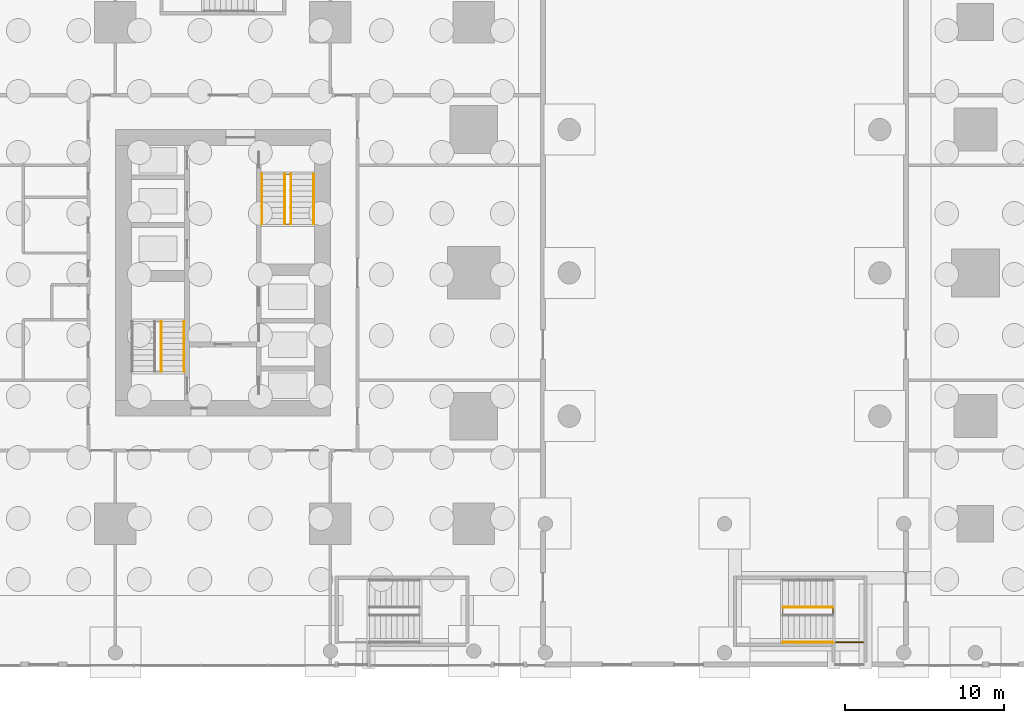
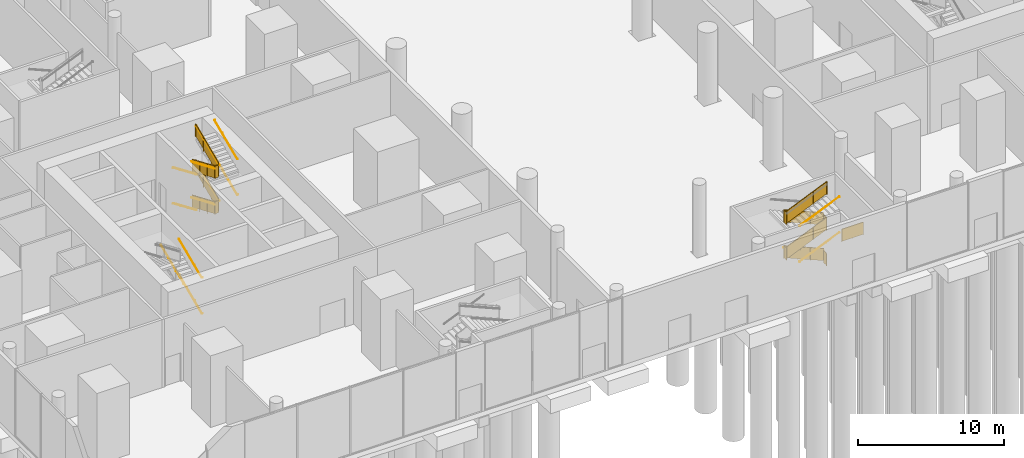
# One storey, part 26 of 31: 17 railings.
"""IFC4 building model written with IfcOpenShell, lengths in metres."""

from ifc_helpers import new_model, si_unit, direction, frame, origin, origin_2d, place, context, subcontext, project, spatial, polyline, circle, outline, extrude, material, type_object, element, save


model = new_model("IFC4")

# Units and contexts
model_context = context("Model", 3, precision=1e-05, world=origin(), true_north=direction((0.0, 1.0)))
body_context = subcontext(model_context, "Body", "Model", "MODEL_VIEW")
ifc_project = project(units=[si_unit("LENGTHUNIT", "METRE"), si_unit("AREAUNIT", "SQUARE_METRE"), si_unit("VOLUMEUNIT", "CUBIC_METRE"), si_unit("PLANEANGLEUNIT", "RADIAN"), si_unit("MASSUNIT", "GRAM", prefix="KILO")], contexts=[model_context])

# Site, building, storey
site_placement = place(None, origin())
site = spatial("IfcSite", under=ifc_project, at=site_placement, CompositionType="ELEMENT")
building_placement = place(site_placement, origin())
building = spatial("IfcBuilding", under=site, at=building_placement, Name="Namib Vertical Campus", CompositionType="ELEMENT")
storey_placement = place(building_placement, origin())
storey = spatial("IfcBuildingStorey", under=building, at=storey_placement, Name="L00", CompositionType="ELEMENT", Elevation=0.0)

# Railings
ifc_material_1 = material(Name="Steel handrail", Category="steel")
railing_type_1 = type_object("IfcRailingType", Name="Handrail 900", PredefinedType="HANDRAIL", material=ifc_material_1)
for number, where, name in (
    (1, (17.800048828125, 14.050048828125, 0.14990234375), "Handrail HR1 A-S1 L00 1"),
    (2, (17.800048828125, 14.050048828125, 3.14990234375), "Handrail HR1 A-S1 L00 3"),
):
    element("IfcRailing", number, at=place(storey_placement, frame(where)), inside=storey, type_object=railing_type_1, Name=name, PredefinedType="HANDRAIL", context=body_context, shape_type="SweptSolid", body=[
        extrude(circle(Radius=0.02392578125, at=origin_2d()), frame((0.0, 0.0, 0.8759765625), z_axis=(0.0, 0.919130290196, 0.393953689721), x_axis=(-1.0, 0.0, 0.0)), (0.0, 0.0, 1.0), 3.427001953125),
        extrude(circle(Radius=0.008056640625, at=origin_2d()), frame((0.0, 0.0, 0.8759765625), z_axis=(1.0, 0.0, 0.0), x_axis=(0.0, 0.0, 1.0)), (0.0, 0.0, 1.0), 0.050048828125),
        extrude(circle(Radius=0.008056640625, at=origin_2d()), frame((0.0, 1.050048828125, 1.325927734375), z_axis=(1.0, 0.0, 0.0), x_axis=(0.0, 0.0, 1.0)), (0.0, 0.0, 1.0), 0.050048828125),
        extrude(circle(Radius=0.008056640625, at=origin_2d()), frame((0.0, 2.099853515625, 1.77587890625), z_axis=(1.0, 0.0, 0.0), x_axis=(0.0, 0.0, 1.0)), (0.0, 0.0, 1.0), 0.050048828125),
        extrude(circle(Radius=0.008056640625, at=origin_2d()), frame((0.0, 3.14990234375, 2.22607421875), z_axis=(1.0, 0.0, 0.0), x_axis=(0.0, 0.0, 1.0)), (0.0, 0.0, 1.0), 0.050048828125),
    ])
railing_1_placement = place(storey_placement, frame((16.375, 14.050048828125, 3.14990234375)))
element("IfcRailing", 3, at=railing_1_placement, inside=storey, type_object=railing_type_1, Name="Handrail HR1 A-S1 L00 3 at the well", PredefinedType="HANDRAIL", context=body_context, shape_type="SweptSolid", body=[
    extrude(circle(Radius=0.02392578125, at=origin_2d()), frame((0.0, 0.0, 0.8759765625), z_axis=(0.0, 0.919130290196, 0.393953689721), x_axis=(-1.0, 0.0, 0.0)), (0.0, 0.0, 1.0), 3.427001953125),
    extrude(circle(Radius=0.008056640625, at=origin_2d()), frame((0.0, 0.0, 0.8759765625), z_axis=(-1.0, 0.0, 0.0), x_axis=(0.0, 0.0, 1.0)), (0.0, 0.0, 1.0), 0.0400390625),
    extrude(circle(Radius=0.008056640625, at=origin_2d()), frame((0.0, 1.050048828125, 1.325927734375), z_axis=(-1.0, 0.0, 0.0), x_axis=(0.0, 0.0, 1.0)), (0.0, 0.0, 1.0), 0.0400390625),
    extrude(circle(Radius=0.008056640625, at=origin_2d()), frame((0.0, 2.099853515625, 1.77587890625), z_axis=(-1.0, 0.0, 0.0), x_axis=(0.0, 0.0, 1.0)), (0.0, 0.0, 1.0), 0.0400390625),
    extrude(circle(Radius=0.008056640625, at=origin_2d()), frame((0.0, 3.14990234375, 2.22607421875), z_axis=(-1.0, 0.0, 0.0), x_axis=(0.0, 0.0, 1.0)), (0.0, 0.0, 1.0), 0.0400390625),
])
railing_2_placement = place(storey_placement, frame((22.699951171875, 26.449951171875, 0.14990234375)))
element("IfcRailing", 4, at=railing_2_placement, inside=storey, type_object=railing_type_1, Name="Handrail HR1 A-S2 L00 1", PredefinedType="HANDRAIL", context=body_context, shape_type="SweptSolid", body=[
    extrude(circle(Radius=0.02392578125, at=origin_2d()), frame((0.0, 0.0, 0.8759765625), z_axis=(0.0, -0.919130290196, 0.393953689721), x_axis=(1.0, 0.0, 0.0)), (0.0, 0.0, 1.0), 3.427001953125),
    extrude(circle(Radius=0.008056640625, at=origin_2d()), frame((0.0, 0.0, 0.8759765625), z_axis=(-1.0, 0.0, 0.0), x_axis=(0.0, 0.0, 1.0)), (0.0, 0.0, 1.0), 0.050048828125),
    extrude(circle(Radius=0.008056640625, at=origin_2d()), frame((0.0, -1.050048828125, 1.325927734375), z_axis=(-1.0, 0.0, 0.0), x_axis=(0.0, 0.0, 1.0)), (0.0, 0.0, 1.0), 0.050048828125),
    extrude(circle(Radius=0.008056640625, at=origin_2d()), frame((0.0, -2.099853515625, 1.77587890625), z_axis=(-1.0, 0.0, 0.0), x_axis=(0.0, 0.0, 1.0)), (0.0, 0.0, 1.0), 0.050048828125),
    extrude(circle(Radius=0.008056640625, at=origin_2d()), frame((0.0, -3.14990234375, 2.22607421875), z_axis=(-1.0, 0.0, 0.0), x_axis=(0.0, 0.0, 1.0)), (0.0, 0.0, 1.0), 0.050048828125),
])
railing_3_placement = place(storey_placement, frame((25.949951171875, 23.300048828125, 1.64990234375)))
element("IfcRailing", 5, at=railing_3_placement, inside=storey, type_object=railing_type_1, Name="Handrail HR1 A-S2 L00 2", PredefinedType="HANDRAIL", context=body_context, shape_type="SweptSolid", body=[
    extrude(circle(Radius=0.02392578125, at=origin_2d()), frame((0.0, 0.0, 0.8759765625), z_axis=(0.0, 0.919130290196, 0.393953689721), x_axis=(-1.0, 0.0, 0.0)), (0.0, 0.0, 1.0), 3.427001953125),
    extrude(circle(Radius=0.008056640625, at=origin_2d()), frame((0.0, 0.0, 0.8759765625), z_axis=(1.0, 0.0, 0.0), x_axis=(0.0, 0.0, 1.0)), (0.0, 0.0, 1.0), 0.050048828125),
    extrude(circle(Radius=0.008056640625, at=origin_2d()), frame((0.0, 1.050048828125, 1.325927734375), z_axis=(1.0, 0.0, 0.0), x_axis=(0.0, 0.0, 1.0)), (0.0, 0.0, 1.0), 0.050048828125),
    extrude(circle(Radius=0.008056640625, at=origin_2d()), frame((0.0, 2.099853515625, 1.77587890625), z_axis=(1.0, 0.0, 0.0), x_axis=(0.0, 0.0, 1.0)), (0.0, 0.0, 1.0), 0.050048828125),
    extrude(circle(Radius=0.008056640625, at=origin_2d()), frame((0.0, 3.14990234375, 2.22607421875), z_axis=(1.0, 0.0, 0.0), x_axis=(0.0, 0.0, 1.0)), (0.0, 0.0, 1.0), 0.050048828125),
])
railing_4_placement = place(storey_placement, frame((22.699951171875, 26.449951171875, 3.14990234375)))
element("IfcRailing", 6, at=railing_4_placement, inside=storey, type_object=railing_type_1, Name="Handrail HR1 A-S2 L00 3", PredefinedType="HANDRAIL", context=body_context, shape_type="SweptSolid", body=[
    extrude(circle(Radius=0.02392578125, at=origin_2d()), frame((0.0, 0.0, 0.8759765625), z_axis=(0.0, -0.919130290196, 0.393953689721), x_axis=(1.0, 0.0, 0.0)), (0.0, 0.0, 1.0), 3.427001953125),
    extrude(circle(Radius=0.008056640625, at=origin_2d()), frame((0.0, 0.0, 0.8759765625), z_axis=(-1.0, 0.0, 0.0), x_axis=(0.0, 0.0, 1.0)), (0.0, 0.0, 1.0), 0.050048828125),
    extrude(circle(Radius=0.008056640625, at=origin_2d()), frame((0.0, -1.050048828125, 1.325927734375), z_axis=(-1.0, 0.0, 0.0), x_axis=(0.0, 0.0, 1.0)), (0.0, 0.0, 1.0), 0.050048828125),
    extrude(circle(Radius=0.008056640625, at=origin_2d()), frame((0.0, -2.099853515625, 1.77587890625), z_axis=(-1.0, 0.0, 0.0), x_axis=(0.0, 0.0, 1.0)), (0.0, 0.0, 1.0), 0.050048828125),
    extrude(circle(Radius=0.008056640625, at=origin_2d()), frame((0.0, -3.14990234375, 2.22607421875), z_axis=(-1.0, 0.0, 0.0), x_axis=(0.0, 0.0, 1.0)), (0.0, 0.0, 1.0), 0.050048828125),
])
railing_5_placement = place(storey_placement, frame((25.949951171875, 23.300048828125, 4.64990234375)))
element("IfcRailing", 7, at=railing_5_placement, inside=storey, type_object=railing_type_1, Name="Handrail HR1 A-S2 L00 4", PredefinedType="HANDRAIL", context=body_context, shape_type="SweptSolid", body=[
    extrude(circle(Radius=0.02392578125, at=origin_2d()), frame((0.0, 0.0, 0.8759765625), z_axis=(0.0, 0.919130290196, 0.393953689721), x_axis=(-1.0, 0.0, 0.0)), (0.0, 0.0, 1.0), 3.427001953125),
    extrude(circle(Radius=0.008056640625, at=origin_2d()), frame((0.0, 0.0, 0.8759765625), z_axis=(1.0, 0.0, 0.0), x_axis=(0.0, 0.0, 1.0)), (0.0, 0.0, 1.0), 0.050048828125),
    extrude(circle(Radius=0.008056640625, at=origin_2d()), frame((0.0, 1.050048828125, 1.325927734375), z_axis=(1.0, 0.0, 0.0), x_axis=(0.0, 0.0, 1.0)), (0.0, 0.0, 1.0), 0.050048828125),
    extrude(circle(Radius=0.008056640625, at=origin_2d()), frame((0.0, 2.099853515625, 1.77587890625), z_axis=(1.0, 0.0, 0.0), x_axis=(0.0, 0.0, 1.0)), (0.0, 0.0, 1.0), 0.050048828125),
    extrude(circle(Radius=0.008056640625, at=origin_2d()), frame((0.0, 3.14990234375, 2.22607421875), z_axis=(1.0, 0.0, 0.0), x_axis=(0.0, 0.0, 1.0)), (0.0, 0.0, 1.0), 0.050048828125),
])
railing_6_placement = place(storey_placement, frame((24.125, 26.449951171875, 0.14990234375)))
element("IfcRailing", 8, at=railing_6_placement, inside=storey, type_object=railing_type_1, Name="Handrail HR1 A-S2 L00 1 at the well", PredefinedType="HANDRAIL", context=body_context, shape_type="SweptSolid", body=[
    extrude(circle(Radius=0.02392578125, at=origin_2d()), frame((0.0, 0.0, 0.8759765625), z_axis=(0.0, -0.919130290196, 0.393953689721), x_axis=(1.0, 0.0, 0.0)), (0.0, 0.0, 1.0), 3.427001953125),
    extrude(circle(Radius=0.008056640625, at=origin_2d()), frame((0.0, 0.0, 0.8759765625), z_axis=(1.0, 0.0, 0.0), x_axis=(0.0, 0.0, 1.0)), (0.0, 0.0, 1.0), 0.0400390625),
    extrude(circle(Radius=0.008056640625, at=origin_2d()), frame((0.0, -1.050048828125, 1.325927734375), z_axis=(1.0, 0.0, 0.0), x_axis=(0.0, 0.0, 1.0)), (0.0, 0.0, 1.0), 0.0400390625),
    extrude(circle(Radius=0.008056640625, at=origin_2d()), frame((0.0, -2.099853515625, 1.77587890625), z_axis=(1.0, 0.0, 0.0), x_axis=(0.0, 0.0, 1.0)), (0.0, 0.0, 1.0), 0.0400390625),
    extrude(circle(Radius=0.008056640625, at=origin_2d()), frame((0.0, -3.14990234375, 2.22607421875), z_axis=(1.0, 0.0, 0.0), x_axis=(0.0, 0.0, 1.0)), (0.0, 0.0, 1.0), 0.0400390625),
])
railing_7_placement = place(storey_placement, frame((24.52490234375, 23.300048828125, 1.64990234375)))
element("IfcRailing", 9, at=railing_7_placement, inside=storey, type_object=railing_type_1, Name="Handrail HR1 A-S2 L00 2 at the well", PredefinedType="HANDRAIL", context=body_context, shape_type="SweptSolid", body=[
    extrude(circle(Radius=0.02392578125, at=origin_2d()), frame((0.0, 0.0, 0.8759765625), z_axis=(0.0, 0.919130290196, 0.393953689721), x_axis=(-1.0, 0.0, 0.0)), (0.0, 0.0, 1.0), 3.427001953125),
    extrude(circle(Radius=0.008056640625, at=origin_2d()), frame((0.0, 0.0, 0.8759765625), z_axis=(-1.0, 0.0, 0.0), x_axis=(0.0, 0.0, 1.0)), (0.0, 0.0, 1.0), 0.0400390625),
    extrude(circle(Radius=0.008056640625, at=origin_2d()), frame((0.0, 1.050048828125, 1.325927734375), z_axis=(-1.0, 0.0, 0.0), x_axis=(0.0, 0.0, 1.0)), (0.0, 0.0, 1.0), 0.0400390625),
    extrude(circle(Radius=0.008056640625, at=origin_2d()), frame((0.0, 2.099853515625, 1.77587890625), z_axis=(-1.0, 0.0, 0.0), x_axis=(0.0, 0.0, 1.0)), (0.0, 0.0, 1.0), 0.0400390625),
    extrude(circle(Radius=0.008056640625, at=origin_2d()), frame((0.0, 3.14990234375, 2.22607421875), z_axis=(-1.0, 0.0, 0.0), x_axis=(0.0, 0.0, 1.0)), (0.0, 0.0, 1.0), 0.0400390625),
])
railing_8_placement = place(storey_placement, frame((24.125, 26.449951171875, 3.14990234375)))
element("IfcRailing", 10, at=railing_8_placement, inside=storey, type_object=railing_type_1, Name="Handrail HR1 A-S2 L00 3 at the well", PredefinedType="HANDRAIL", context=body_context, shape_type="SweptSolid", body=[
    extrude(circle(Radius=0.02392578125, at=origin_2d()), frame((0.0, 0.0, 0.8759765625), z_axis=(0.0, -0.919130290196, 0.393953689721), x_axis=(1.0, 0.0, 0.0)), (0.0, 0.0, 1.0), 3.427001953125),
    extrude(circle(Radius=0.008056640625, at=origin_2d()), frame((0.0, 0.0, 0.8759765625), z_axis=(1.0, 0.0, 0.0), x_axis=(0.0, 0.0, 1.0)), (0.0, 0.0, 1.0), 0.0400390625),
    extrude(circle(Radius=0.008056640625, at=origin_2d()), frame((0.0, -1.050048828125, 1.325927734375), z_axis=(1.0, 0.0, 0.0), x_axis=(0.0, 0.0, 1.0)), (0.0, 0.0, 1.0), 0.0400390625),
    extrude(circle(Radius=0.008056640625, at=origin_2d()), frame((0.0, -2.099853515625, 1.77587890625), z_axis=(1.0, 0.0, 0.0), x_axis=(0.0, 0.0, 1.0)), (0.0, 0.0, 1.0), 0.0400390625),
    extrude(circle(Radius=0.008056640625, at=origin_2d()), frame((0.0, -3.14990234375, 2.22607421875), z_axis=(1.0, 0.0, 0.0), x_axis=(0.0, 0.0, 1.0)), (0.0, 0.0, 1.0), 0.0400390625),
])
railing_9_placement = place(storey_placement, frame((24.52490234375, 23.300048828125, 4.64990234375)))
element("IfcRailing", 11, at=railing_9_placement, inside=storey, type_object=railing_type_1, Name="Handrail HR1 A-S2 L00 4 at the well", PredefinedType="HANDRAIL", context=body_context, shape_type="SweptSolid", body=[
    extrude(circle(Radius=0.02392578125, at=origin_2d()), frame((0.0, 0.0, 0.8759765625), z_axis=(0.0, 0.919130290196, 0.393953689721), x_axis=(-1.0, 0.0, 0.0)), (0.0, 0.0, 1.0), 3.427001953125),
    extrude(circle(Radius=0.008056640625, at=origin_2d()), frame((0.0, 0.0, 0.8759765625), z_axis=(-1.0, 0.0, 0.0), x_axis=(0.0, 0.0, 1.0)), (0.0, 0.0, 1.0), 0.0400390625),
    extrude(circle(Radius=0.008056640625, at=origin_2d()), frame((0.0, 1.050048828125, 1.325927734375), z_axis=(-1.0, 0.0, 0.0), x_axis=(0.0, 0.0, 1.0)), (0.0, 0.0, 1.0), 0.0400390625),
    extrude(circle(Radius=0.008056640625, at=origin_2d()), frame((0.0, 2.099853515625, 1.77587890625), z_axis=(-1.0, 0.0, 0.0), x_axis=(0.0, 0.0, 1.0)), (0.0, 0.0, 1.0), 0.0400390625),
    extrude(circle(Radius=0.008056640625, at=origin_2d()), frame((0.0, 3.14990234375, 2.22607421875), z_axis=(-1.0, 0.0, 0.0), x_axis=(0.0, 0.0, 1.0)), (0.0, 0.0, 1.0), 0.0400390625),
])
for number, where, name in (
    (12, (55.40380859375, -2.949951171875, 1.64990234375), "Handrail HR1 P-S4 L00 2"),
    (13, (55.40380859375, -2.949951171875, 4.64990234375), "Handrail HR1 P-S4 L00 4"),
):
    element("IfcRailing", number, at=place(storey_placement, frame(where)), inside=storey, type_object=railing_type_1, Name=name, PredefinedType="HANDRAIL", context=body_context, shape_type="SweptSolid", body=[
        extrude(circle(Radius=0.02392578125, at=origin_2d()), frame((0.0, 0.0, 0.8759765625), z_axis=(0.919141345424, 0.0, 0.393927895853), x_axis=(0.0, 1.0, 0.0)), (0.0, 0.0, 1.0), 3.42724609375),
        extrude(circle(Radius=0.008056640625, at=origin_2d()), frame((0.0, 0.0, 0.8759765625), z_axis=(0.0, -1.0, 0.0), x_axis=(0.0, 0.0, 1.0)), (0.0, 0.0, 1.0), 0.050048828125),
        extrude(circle(Radius=0.008056640625, at=origin_2d()), frame((1.050048828125, 0.0, 1.325927734375), z_axis=(0.0, -1.0, 0.0), x_axis=(0.0, 0.0, 1.0)), (0.0, 0.0, 1.0), 0.050048828125),
        extrude(circle(Radius=0.008056640625, at=origin_2d()), frame((2.10009765625, 0.0, 1.77587890625), z_axis=(0.0, -1.0, 0.0), x_axis=(0.0, 0.0, 1.0)), (0.0, 0.0, 1.0), 0.050048828125),
        extrude(circle(Radius=0.008056640625, at=origin_2d()), frame((3.150146484375, 0.0, 2.22607421875), z_axis=(0.0, -1.0, 0.0), x_axis=(0.0, 0.0, 1.0)), (0.0, 0.0, 1.0), 0.050048828125),
    ])
railing_10_placement = place(storey_placement, frame((58.553955078125, -0.75, 0.14990234375)))
element("IfcRailing", 14, at=railing_10_placement, inside=storey, type_object=railing_type_1, Name="Handrail HR1 P-S4 L00 1 at the well", PredefinedType="HANDRAIL", context=body_context, shape_type="SweptSolid", body=[
    extrude(circle(Radius=0.02392578125, at=origin_2d()), frame((0.0, 0.0, 0.8759765625), z_axis=(-0.919141345424, 0.0, 0.393927895853), x_axis=(0.0, -1.0, 0.0)), (0.0, 0.0, 1.0), 3.42724609375),
    extrude(circle(Radius=0.008056640625, at=origin_2d()), frame((0.0, 0.0, 0.8759765625), z_axis=(0.0, -1.0, 0.0), x_axis=(0.0, 0.0, 1.0)), (0.0, 0.0, 1.0), 0.0400390625),
    extrude(circle(Radius=0.008056640625, at=origin_2d()), frame((-1.050048828125, 0.0, 1.325927734375), z_axis=(0.0, -1.0, 0.0), x_axis=(0.0, 0.0, 1.0)), (0.0, 0.0, 1.0), 0.0400390625),
    extrude(circle(Radius=0.008056640625, at=origin_2d()), frame((-2.10009765625, 0.0, 1.77587890625), z_axis=(0.0, -1.0, 0.0), x_axis=(0.0, 0.0, 1.0)), (0.0, 0.0, 1.0), 0.0400390625),
    extrude(circle(Radius=0.008056640625, at=origin_2d()), frame((-3.150146484375, 0.0, 2.22607421875), z_axis=(0.0, -1.0, 0.0), x_axis=(0.0, 0.0, 1.0)), (0.0, 0.0, 1.0), 0.0400390625),
])
ifc_material_2 = material(Name="Steel balustrade", Category="steel")
railing_type_2 = type_object("IfcRailingType", Name="Stair guard 1100", PredefinedType="GUARDRAIL", material=ifc_material_2)
railing_11_placement = place(storey_placement, frame((24.47509765625, 26.449951171875, 0.0)))
element("IfcRailing", 15, at=railing_11_placement, inside=storey, type_object=railing_type_2, Name="Stair guard GR1 A-S2 L00", PredefinedType="GUARDRAIL", context=body_context, shape_type="SweptSolid", body=[
    extrude(circle(Radius=0.02392578125, at=origin_2d()), frame((0.0, 0.0, 1.076171875), z_axis=(-1.0, 0.0, 0.0), x_axis=(0.0, -1.0, 0.0)), (0.0, 0.0, 1.0), 0.300048828125),
    extrude(outline(polyline([(0.02099609375, 0.050048828125), (0.279052734375, 0.050048828125), (0.279052734375, 1.052001953125), (0.02099609375, 1.052001953125), (0.02099609375, 0.050048828125)])), frame((0.0, -0.010009765625, 0.0), z_axis=(0.0, 1.0, 0.0), x_axis=(-1.0, 0.0, 0.0)), (0.0, 0.0, 1.0), 0.02001953125),
    extrude(circle(Radius=0.02392578125, at=origin_2d()), frame((-0.300048828125, 0.0, 1.076171875), z_axis=(0.0, 0.0, 1.0), x_axis=(1.0, 0.0, 0.0)), (0.0, 0.0, 1.0), 0.14990234375),
    extrude(circle(Radius=0.02392578125, at=origin_2d()), frame((-0.300048828125, 0.0, 1.22607421875), z_axis=(0.0, -0.919130290196, 0.393953689721), x_axis=(1.0, 0.0, 0.0)), (0.0, 0.0, 1.0), 3.427001953125),
    extrude(outline(polyline([(0.02099609375, 0.05908203125), (3.12890625, 1.39111328125), (3.12890625, 2.39306640625), (0.02099609375, 1.06103515625), (0.02099609375, 0.05908203125)])), frame((-0.2900390625, 0.0, 0.14990234375), z_axis=(-1.0, 0.0, 0.0), x_axis=(0.0, -1.0, 0.0)), (0.0, 0.0, 1.0), 0.02001953125),
    extrude(circle(Radius=0.02392578125, at=origin_2d()), frame((-0.300048828125, -3.14990234375, 2.576171875), z_axis=(1.0, 0.0, 0.0), x_axis=(0.0, 1.0, 0.0)), (0.0, 0.0, 1.0), 0.300048828125),
    extrude(outline(polyline([(0.02099609375, 0.050048828125), (0.279052734375, 0.050048828125), (0.279052734375, 1.052001953125), (0.02099609375, 1.052001953125), (0.02099609375, 0.050048828125)])), frame((-0.300048828125, -3.139892578125, 1.5), z_axis=(0.0, -1.0, 0.0), x_axis=(1.0, 0.0, 0.0)), (0.0, 0.0, 1.0), 0.02001953125),
    extrude(circle(Radius=0.02392578125, at=origin_2d()), frame((0.0, -3.14990234375, 2.576171875), z_axis=(0.0, 0.0, 1.0), x_axis=(1.0, 0.0, 0.0)), (0.0, 0.0, 1.0), 0.14990234375),
    extrude(circle(Radius=0.02392578125, at=origin_2d()), frame((0.0, -3.14990234375, 2.72607421875), z_axis=(0.0, 0.919130290196, 0.393953689721), x_axis=(-1.0, 0.0, 0.0)), (0.0, 0.0, 1.0), 3.427001953125),
    extrude(outline(polyline([(0.02099609375, 0.05908203125), (3.12890625, 1.39111328125), (3.12890625, 2.39306640625), (0.02099609375, 1.06103515625), (0.02099609375, 0.05908203125)])), frame((-0.010009765625, -3.14990234375, 1.64990234375), z_axis=(1.0, 0.0, 0.0), x_axis=(0.0, 1.0, 0.0)), (0.0, 0.0, 1.0), 0.02001953125),
    extrude(circle(Radius=0.02392578125, at=origin_2d()), frame((0.0, 0.0, 4.076171875), z_axis=(-1.0, 0.0, 0.0), x_axis=(0.0, -1.0, 0.0)), (0.0, 0.0, 1.0), 0.300048828125),
    extrude(outline(polyline([(0.02099609375, 0.050048828125), (0.279052734375, 0.050048828125), (0.279052734375, 1.052001953125), (0.02099609375, 1.052001953125), (0.02099609375, 0.050048828125)])), frame((0.0, -0.010009765625, 3.0), z_axis=(0.0, 1.0, 0.0), x_axis=(-1.0, 0.0, 0.0)), (0.0, 0.0, 1.0), 0.02001953125),
    extrude(circle(Radius=0.02392578125, at=origin_2d()), frame((-0.300048828125, 0.0, 4.076171875), z_axis=(0.0, 0.0, 1.0), x_axis=(1.0, 0.0, 0.0)), (0.0, 0.0, 1.0), 0.14990234375),
    extrude(circle(Radius=0.02392578125, at=origin_2d()), frame((-0.300048828125, 0.0, 4.22607421875), z_axis=(0.0, -0.919130290196, 0.393953689721), x_axis=(1.0, 0.0, 0.0)), (0.0, 0.0, 1.0), 3.427001953125),
    extrude(outline(polyline([(0.02099609375, 0.05908203125), (3.12890625, 1.39111328125), (3.12890625, 2.39306640625), (0.02099609375, 1.06103515625), (0.02099609375, 0.05908203125)])), frame((-0.2900390625, 0.0, 3.14990234375), z_axis=(-1.0, 0.0, 0.0), x_axis=(0.0, -1.0, 0.0)), (0.0, 0.0, 1.0), 0.02001953125),
    extrude(circle(Radius=0.02392578125, at=origin_2d()), frame((-0.300048828125, -3.14990234375, 5.576171875), z_axis=(1.0, 0.0, 0.0), x_axis=(0.0, 1.0, 0.0)), (0.0, 0.0, 1.0), 0.300048828125),
    extrude(outline(polyline([(0.02099609375, 0.050048828125), (0.279052734375, 0.050048828125), (0.279052734375, 1.052001953125), (0.02099609375, 1.052001953125), (0.02099609375, 0.050048828125)])), frame((-0.300048828125, -3.139892578125, 4.5), z_axis=(0.0, -1.0, 0.0), x_axis=(1.0, 0.0, 0.0)), (0.0, 0.0, 1.0), 0.02001953125),
    extrude(circle(Radius=0.02392578125, at=origin_2d()), frame((0.0, -3.14990234375, 5.576171875), z_axis=(0.0, 0.0, 1.0), x_axis=(1.0, 0.0, 0.0)), (0.0, 0.0, 1.0), 0.14990234375),
    extrude(circle(Radius=0.02392578125, at=origin_2d()), frame((0.0, -3.14990234375, 5.72607421875), z_axis=(0.0, 0.919130290196, 0.393953689721), x_axis=(-1.0, 0.0, 0.0)), (0.0, 0.0, 1.0), 3.427001953125),
    extrude(outline(polyline([(0.02099609375, 0.05908203125), (3.12890625, 1.39111328125), (3.12890625, 2.39306640625), (0.02099609375, 1.06103515625), (0.02099609375, 0.05908203125)])), frame((-0.010009765625, -3.14990234375, 4.64990234375), z_axis=(1.0, 0.0, 0.0), x_axis=(0.0, 1.0, 0.0)), (0.0, 0.0, 1.0), 0.02001953125),
    extrude(circle(Radius=0.02392578125, at=origin_2d()), frame((0.0, 0.0, 7.076171875), z_axis=(0.0, 1.0, 0.0), x_axis=(-1.0, 0.0, 0.0)), (0.0, 0.0, 1.0), 0.050048828125),
    extrude(outline(polyline([(0.02099609375, 0.050048828125), (0.029052734375, 0.050048828125), (0.029052734375, 1.052001953125), (0.02099609375, 1.052001953125), (0.02099609375, 0.050048828125)])), frame((-0.010009765625, 0.0, 6.0), z_axis=(1.0, 0.0, 0.0), x_axis=(0.0, 1.0, 0.0)), (0.0, 0.0, 1.0), 0.02001953125),
    extrude(circle(Radius=0.02099609375, at=origin_2d()), origin(), (0.0, 0.0, 1.0), 1.052001953125),
    extrude(circle(Radius=0.02099609375, at=origin_2d()), frame((-0.300048828125, 0.0, 0.14990234375)), (0.0, 0.0, 1.0), 1.052001953125),
    extrude(circle(Radius=0.02099609375, at=origin_2d()), frame((-0.300048828125, -1.050048828125, 0.449951171875)), (0.0, 0.0, 1.0), 1.2021484375),
    extrude(circle(Radius=0.02099609375, at=origin_2d()), frame((-0.300048828125, -2.099853515625, 0.89990234375)), (0.0, 0.0, 1.0), 1.2021484375),
    extrude(circle(Radius=0.02099609375, at=origin_2d()), frame((-0.300048828125, -3.14990234375, 1.5)), (0.0, 0.0, 1.0), 1.052001953125),
    extrude(circle(Radius=0.02099609375, at=origin_2d()), frame((0.0, -3.14990234375, 1.64990234375)), (0.0, 0.0, 1.0), 1.052001953125),
    extrude(circle(Radius=0.02099609375, at=origin_2d()), frame((0.0, -2.099853515625, 1.949951171875)), (0.0, 0.0, 1.0), 1.2021484375),
    extrude(circle(Radius=0.02099609375, at=origin_2d()), frame((0.0, -1.050048828125, 2.39990234375)), (0.0, 0.0, 1.0), 1.2021484375),
    extrude(circle(Radius=0.02099609375, at=origin_2d()), frame((0.0, 0.0, 3.0)), (0.0, 0.0, 1.0), 1.052001953125),
    extrude(circle(Radius=0.02099609375, at=origin_2d()), frame((-0.300048828125, 0.0, 3.14990234375)), (0.0, 0.0, 1.0), 1.052001953125),
    extrude(circle(Radius=0.02099609375, at=origin_2d()), frame((-0.300048828125, -1.050048828125, 3.449951171875)), (0.0, 0.0, 1.0), 1.2021484375),
    extrude(circle(Radius=0.02099609375, at=origin_2d()), frame((-0.300048828125, -2.099853515625, 3.89990234375)), (0.0, 0.0, 1.0), 1.2021484375),
    extrude(circle(Radius=0.02099609375, at=origin_2d()), frame((-0.300048828125, -3.14990234375, 4.5)), (0.0, 0.0, 1.0), 1.052001953125),
    extrude(circle(Radius=0.02099609375, at=origin_2d()), frame((0.0, -3.14990234375, 4.64990234375)), (0.0, 0.0, 1.0), 1.052001953125),
    extrude(circle(Radius=0.02099609375, at=origin_2d()), frame((0.0, -2.099853515625, 4.949951171875)), (0.0, 0.0, 1.0), 1.2021484375),
    extrude(circle(Radius=0.02099609375, at=origin_2d()), frame((0.0, -1.050048828125, 5.39990234375)), (0.0, 0.0, 1.0), 1.2021484375),
    extrude(circle(Radius=0.02099609375, at=origin_2d()), frame((0.0, 0.0, 6.0)), (0.0, 0.0, 1.0), 1.052001953125),
    extrude(circle(Radius=0.02099609375, at=origin_2d()), frame((0.0, 0.050048828125, 6.0)), (0.0, 0.0, 1.0), 1.052001953125),
])
railing_12_placement = place(storey_placement, frame((58.553955078125, -1.199951171875, 0.0)))
element("IfcRailing", 16, at=railing_12_placement, inside=storey, type_object=railing_type_2, Name="Stair guard GR1 P-S4 L00", PredefinedType="GUARDRAIL", context=body_context, shape_type="SweptSolid", body=[
    extrude(circle(Radius=0.02392578125, at=origin_2d()), frame((0.0, 0.0, 1.076171875), z_axis=(0.0, 1.0, 0.0), x_axis=(-1.0, 0.0, 0.0)), (0.0, 0.0, 1.0), 0.39990234375),
    extrude(outline(polyline([(0.02099609375, 0.050048828125), (0.37890625, 0.050048828125), (0.37890625, 1.052001953125), (0.02099609375, 1.052001953125), (0.02099609375, 0.050048828125)])), frame((-0.010009765625, 0.0, 0.0), z_axis=(1.0, 0.0, 0.0), x_axis=(0.0, 1.0, 0.0)), (0.0, 0.0, 1.0), 0.02001953125),
    extrude(circle(Radius=0.02392578125, at=origin_2d()), frame((0.0, 0.39990234375, 1.076171875), z_axis=(0.0, 0.0, 1.0), x_axis=(1.0, 0.0, 0.0)), (0.0, 0.0, 1.0), 0.14990234375),
    extrude(circle(Radius=0.02392578125, at=origin_2d()), frame((0.0, 0.39990234375, 1.22607421875), z_axis=(-0.919141345424, 0.0, 0.393927895853), x_axis=(0.0, -1.0, 0.0)), (0.0, 0.0, 1.0), 3.42724609375),
    extrude(outline(polyline([(0.02099609375, 0.05908203125), (3.129150390625, 1.39111328125), (3.129150390625, 2.39306640625), (0.02099609375, 1.06103515625), (0.02099609375, 0.05908203125)])), frame((0.0, 0.389892578125, 0.14990234375), z_axis=(0.0, 1.0, 0.0), x_axis=(-1.0, 0.0, 0.0)), (0.0, 0.0, 1.0), 0.02001953125),
    extrude(circle(Radius=0.02392578125, at=origin_2d()), frame((-3.150146484375, 0.39990234375, 2.576171875), z_axis=(0.0, -1.0, 0.0), x_axis=(1.0, 0.0, 0.0)), (0.0, 0.0, 1.0), 0.39990234375),
    extrude(outline(polyline([(0.02099609375, 0.050048828125), (0.37890625, 0.050048828125), (0.37890625, 1.052001953125), (0.02099609375, 1.052001953125), (0.02099609375, 0.050048828125)])), frame((-3.14013671875, 0.39990234375, 1.5), z_axis=(-1.0, 0.0, 0.0), x_axis=(0.0, -1.0, 0.0)), (0.0, 0.0, 1.0), 0.02001953125),
    extrude(circle(Radius=0.02392578125, at=origin_2d()), frame((-3.150146484375, 0.0, 2.576171875), z_axis=(0.0, 0.0, 1.0), x_axis=(1.0, 0.0, 0.0)), (0.0, 0.0, 1.0), 0.14990234375),
    extrude(circle(Radius=0.02392578125, at=origin_2d()), frame((-3.150146484375, 0.0, 2.72607421875), z_axis=(0.919141345424, 0.0, 0.393927895853), x_axis=(0.0, 1.0, 0.0)), (0.0, 0.0, 1.0), 3.42724609375),
    extrude(outline(polyline([(0.02099609375, 0.05908203125), (3.129150390625, 1.39111328125), (3.129150390625, 2.39306640625), (0.02099609375, 1.06103515625), (0.02099609375, 0.05908203125)])), frame((-3.150146484375, 0.010009765625, 1.64990234375), z_axis=(0.0, -1.0, 0.0), x_axis=(1.0, 0.0, 0.0)), (0.0, 0.0, 1.0), 0.02001953125),
    extrude(circle(Radius=0.02392578125, at=origin_2d()), frame((0.0, 0.0, 4.076171875), z_axis=(0.0, 1.0, 0.0), x_axis=(-1.0, 0.0, 0.0)), (0.0, 0.0, 1.0), 0.39990234375),
    extrude(outline(polyline([(0.02099609375, 0.050048828125), (0.37890625, 0.050048828125), (0.37890625, 1.052001953125), (0.02099609375, 1.052001953125), (0.02099609375, 0.050048828125)])), frame((-0.010009765625, 0.0, 3.0), z_axis=(1.0, 0.0, 0.0), x_axis=(0.0, 1.0, 0.0)), (0.0, 0.0, 1.0), 0.02001953125),
    extrude(circle(Radius=0.02392578125, at=origin_2d()), frame((0.0, 0.39990234375, 4.076171875), z_axis=(0.0, 0.0, 1.0), x_axis=(1.0, 0.0, 0.0)), (0.0, 0.0, 1.0), 0.14990234375),
    extrude(circle(Radius=0.02392578125, at=origin_2d()), frame((0.0, 0.39990234375, 4.22607421875), z_axis=(-0.919141345424, 0.0, 0.393927895853), x_axis=(0.0, -1.0, 0.0)), (0.0, 0.0, 1.0), 3.42724609375),
    extrude(outline(polyline([(0.02099609375, 0.05908203125), (3.129150390625, 1.39111328125), (3.129150390625, 2.39306640625), (0.02099609375, 1.06103515625), (0.02099609375, 0.05908203125)])), frame((0.0, 0.389892578125, 3.14990234375), z_axis=(0.0, 1.0, 0.0), x_axis=(-1.0, 0.0, 0.0)), (0.0, 0.0, 1.0), 0.02001953125),
    extrude(circle(Radius=0.02392578125, at=origin_2d()), frame((-3.150146484375, 0.39990234375, 5.576171875), z_axis=(0.0, -1.0, 0.0), x_axis=(1.0, 0.0, 0.0)), (0.0, 0.0, 1.0), 0.39990234375),
    extrude(outline(polyline([(0.02099609375, 0.050048828125), (0.37890625, 0.050048828125), (0.37890625, 1.052001953125), (0.02099609375, 1.052001953125), (0.02099609375, 0.050048828125)])), frame((-3.14013671875, 0.39990234375, 4.5), z_axis=(-1.0, 0.0, 0.0), x_axis=(0.0, -1.0, 0.0)), (0.0, 0.0, 1.0), 0.02001953125),
    extrude(circle(Radius=0.02392578125, at=origin_2d()), frame((-3.150146484375, 0.0, 5.576171875), z_axis=(0.0, 0.0, 1.0), x_axis=(1.0, 0.0, 0.0)), (0.0, 0.0, 1.0), 0.14990234375),
    extrude(circle(Radius=0.02392578125, at=origin_2d()), frame((-3.150146484375, 0.0, 5.72607421875), z_axis=(0.919141345424, 0.0, 0.393927895853), x_axis=(0.0, 1.0, 0.0)), (0.0, 0.0, 1.0), 3.42724609375),
    extrude(outline(polyline([(0.02099609375, 0.05908203125), (3.129150390625, 1.39111328125), (3.129150390625, 2.39306640625), (0.02099609375, 1.06103515625), (0.02099609375, 0.05908203125)])), frame((-3.150146484375, 0.010009765625, 4.64990234375), z_axis=(0.0, -1.0, 0.0), x_axis=(1.0, 0.0, 0.0)), (0.0, 0.0, 1.0), 0.02001953125),
    extrude(circle(Radius=0.02392578125, at=origin_2d()), frame((0.0, 0.0, 7.076171875), z_axis=(1.0, 0.0, 0.0), x_axis=(0.0, 1.0, 0.0)), (0.0, 0.0, 1.0), 0.050048828125),
    extrude(outline(polyline([(0.02099609375, 0.050048828125), (0.029052734375, 0.050048828125), (0.029052734375, 1.052001953125), (0.02099609375, 1.052001953125), (0.02099609375, 0.050048828125)])), frame((0.0, 0.010009765625, 6.0), z_axis=(0.0, -1.0, 0.0), x_axis=(1.0, 0.0, 0.0)), (0.0, 0.0, 1.0), 0.02001953125),
    extrude(circle(Radius=0.02099609375, at=origin_2d()), origin(), (0.0, 0.0, 1.0), 1.052001953125),
    extrude(circle(Radius=0.02099609375, at=origin_2d()), frame((0.0, 0.39990234375, 0.14990234375)), (0.0, 0.0, 1.0), 1.052001953125),
    extrude(circle(Radius=0.02099609375, at=origin_2d()), frame((-1.050048828125, 0.39990234375, 0.599853515625)), (0.0, 0.0, 1.0), 1.052001953125),
    extrude(circle(Radius=0.02099609375, at=origin_2d()), frame((-2.10009765625, 0.39990234375, 1.0498046875)), (0.0, 0.0, 1.0), 1.052001953125),
    extrude(circle(Radius=0.02099609375, at=origin_2d()), frame((-3.150146484375, 0.39990234375, 1.5)), (0.0, 0.0, 1.0), 1.052001953125),
    extrude(circle(Radius=0.02099609375, at=origin_2d()), frame((-3.150146484375, 0.0, 1.64990234375)), (0.0, 0.0, 1.0), 1.052001953125),
    extrude(circle(Radius=0.02099609375, at=origin_2d()), frame((-2.10009765625, 0.0, 2.099853515625)), (0.0, 0.0, 1.0), 1.052001953125),
    extrude(circle(Radius=0.02099609375, at=origin_2d()), frame((-1.050048828125, 0.0, 2.5498046875)), (0.0, 0.0, 1.0), 1.052001953125),
    extrude(circle(Radius=0.02099609375, at=origin_2d()), frame((0.0, 0.0, 3.0)), (0.0, 0.0, 1.0), 1.052001953125),
    extrude(circle(Radius=0.02099609375, at=origin_2d()), frame((0.0, 0.39990234375, 3.14990234375)), (0.0, 0.0, 1.0), 1.052001953125),
    extrude(circle(Radius=0.02099609375, at=origin_2d()), frame((-1.050048828125, 0.39990234375, 3.599853515625)), (0.0, 0.0, 1.0), 1.052001953125),
    extrude(circle(Radius=0.02099609375, at=origin_2d()), frame((-2.10009765625, 0.39990234375, 4.0498046875)), (0.0, 0.0, 1.0), 1.052001953125),
    extrude(circle(Radius=0.02099609375, at=origin_2d()), frame((-3.150146484375, 0.39990234375, 4.5)), (0.0, 0.0, 1.0), 1.052001953125),
    extrude(circle(Radius=0.02099609375, at=origin_2d()), frame((-3.150146484375, 0.0, 4.64990234375)), (0.0, 0.0, 1.0), 1.052001953125),
    extrude(circle(Radius=0.02099609375, at=origin_2d()), frame((-2.10009765625, 0.0, 5.099853515625)), (0.0, 0.0, 1.0), 1.052001953125),
    extrude(circle(Radius=0.02099609375, at=origin_2d()), frame((-1.050048828125, 0.0, 5.5498046875)), (0.0, 0.0, 1.0), 1.052001953125),
    extrude(circle(Radius=0.02099609375, at=origin_2d()), frame((0.0, 0.0, 6.0)), (0.0, 0.0, 1.0), 1.052001953125),
    extrude(circle(Radius=0.02099609375, at=origin_2d()), frame((0.050048828125, 0.0, 6.0)), (0.0, 0.0, 1.0), 1.052001953125),
])
railing_13_placement = place(storey_placement, frame((58.75, -2.949951171875, 3.0)))
element("IfcRailing", 17, at=railing_13_placement, inside=storey, type_object=railing_type_2, Name="Stair guard GR1 P-S4 L00 over the exit vestibule 1", PredefinedType="GUARDRAIL", context=body_context, shape_type="SweptSolid", body=[
    extrude(circle(Radius=0.02392578125, at=origin_2d()), frame((0.0, 0.0, 1.076171875), z_axis=(1.0, 0.0, 0.0), x_axis=(0.0, 1.0, 0.0)), (0.0, 0.0, 1.0), 1.699951171875),
    extrude(outline(polyline([(0.02099609375, 0.050048828125), (1.678955078125, 0.050048828125), (1.678955078125, 1.052001953125), (0.02099609375, 1.052001953125), (0.02099609375, 0.050048828125)])), frame((0.0, 0.010009765625, 0.0), z_axis=(0.0, -1.0, 0.0), x_axis=(1.0, 0.0, 0.0)), (0.0, 0.0, 1.0), 0.02001953125),
    extrude(circle(Radius=0.02099609375, at=origin_2d()), origin(), (0.0, 0.0, 1.0), 1.052001953125),
    extrude(circle(Radius=0.02099609375, at=origin_2d()), frame((0.85009765625, 0.0, 0.0)), (0.0, 0.0, 1.0), 1.052001953125),
    extrude(circle(Radius=0.02099609375, at=origin_2d()), frame((1.699951171875, 0.0, 0.0)), (0.0, 0.0, 1.0), 1.052001953125),
])

save(model, "model.ifc")
